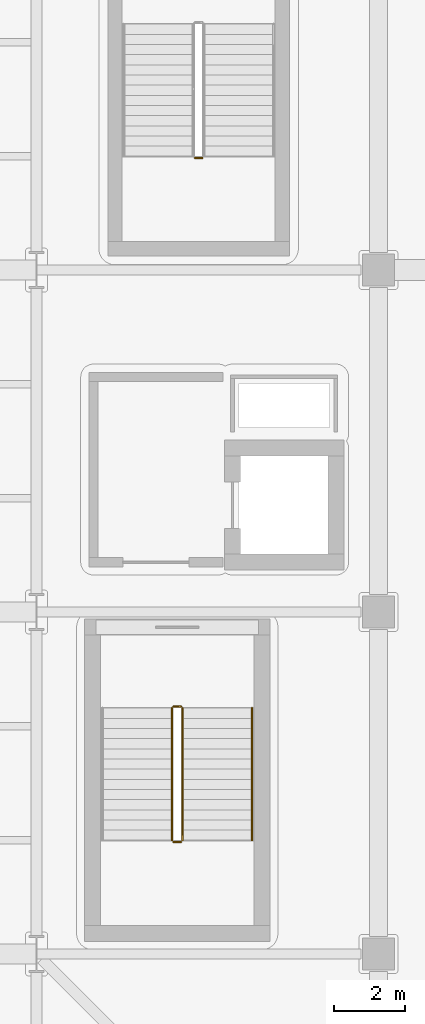
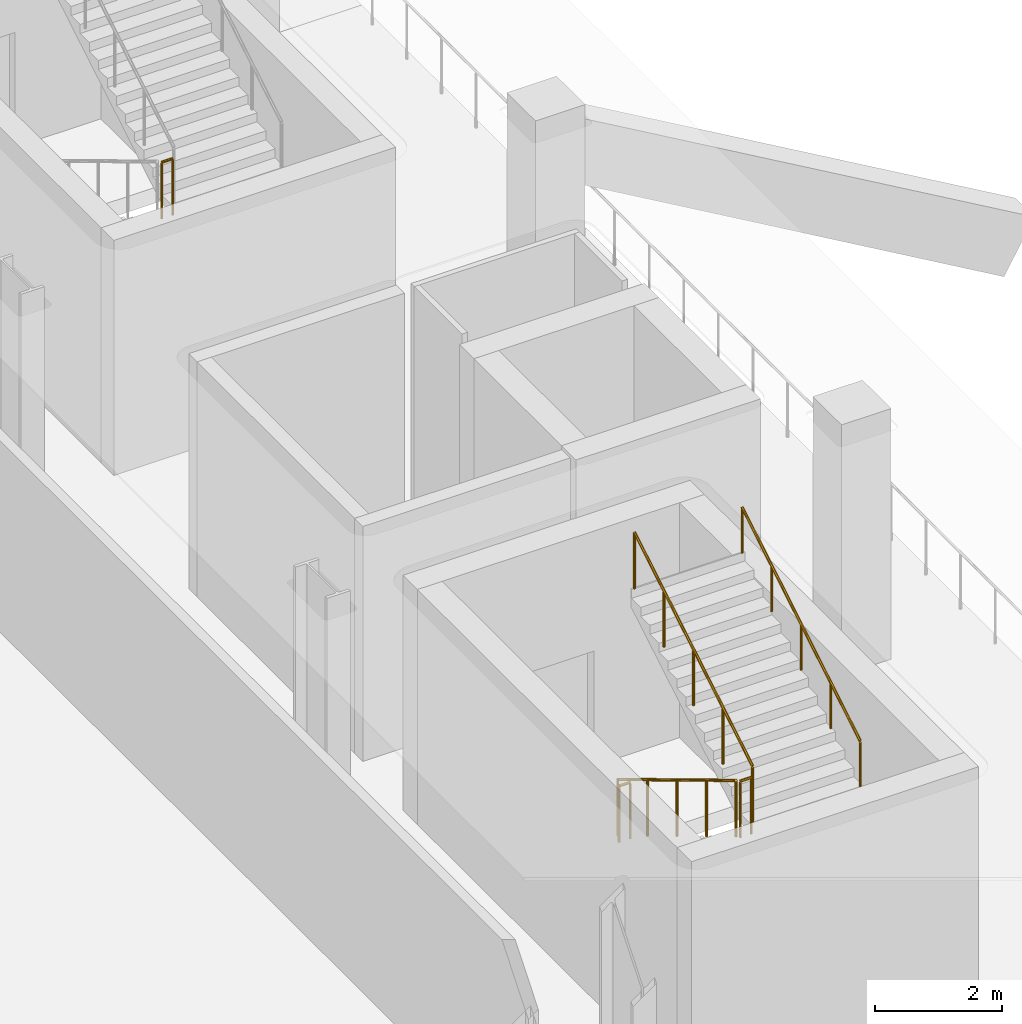
# One storey, part 75 of 100: 6 railings.
"""IFC4 building model written with IfcOpenShell, lengths in metres."""

from ifc_helpers import new_model, si_unit, direction, frame, origin, origin_2d, place, context, subcontext, project, spatial, circle, extrude, material, type_object, element, save


model = new_model("IFC4")

# Units and contexts
model_context = context("Model", 3, precision=1e-05, world=origin(), true_north=direction((0.0, 1.0)))
body_context = subcontext(model_context, "Body", "Model", "MODEL_VIEW")
ifc_project = project(units=[si_unit("LENGTHUNIT", "METRE"), si_unit("AREAUNIT", "SQUARE_METRE"), si_unit("VOLUMEUNIT", "CUBIC_METRE"), si_unit("PLANEANGLEUNIT", "RADIAN"), si_unit("MASSUNIT", "GRAM", prefix="KILO")], contexts=[model_context])

# Site, building, storey
site_placement = place(None, origin())
site = spatial("IfcSite", under=ifc_project, at=site_placement, CompositionType="ELEMENT")
building_placement = place(site_placement, origin())
building = spatial("IfcBuilding", under=site, at=building_placement, Name="Caelomonte Colonnade Arena", CompositionType="ELEMENT")
storey_placement = place(building_placement, origin())
storey = spatial("IfcBuildingStorey", under=building, at=storey_placement, Name="L00", CompositionType="ELEMENT", Elevation=0.0)

# Railings
ifc_material_1 = material(Name="Painted galvanized steel stair guard", Category="steel")
railing_type_1 = type_object("IfcRailingType", Name="INT-RL-GRD", PredefinedType="GUARDRAIL", material=ifc_material_1)
railing_1_placement = place(storey_placement, frame((61.39990234375, 45.300048828125, 0.17138671875)))
element("IfcRailing", 1, at=railing_1_placement, inside=storey, type_object=railing_type_1, Name="L00 ST-01 stair guard 1", PredefinedType="GUARDRAIL", context=body_context, shape_type="SweptSolid", body=[
    extrude(circle(Radius=0.02392578125, at=origin_2d()), frame((0.0, 0.0, 1.076171875), z_axis=(0.0, -0.856934400257, 0.515425487977), x_axis=(1.0, 0.0, 0.0)), (0.0, 0.0, 1.0), 4.32373046875),
    extrude(circle(Radius=0.02099609375, at=origin_2d()), origin(), (0.0, 0.0, 1.0), 1.048095703125),
    extrude(circle(Radius=0.02099609375, at=origin_2d()), frame((0.0, -0.92626953125, 0.55712890625)), (0.0, 0.0, 1.0), 1.048095703125),
    extrude(circle(Radius=0.02099609375, at=origin_2d()), frame((0.0, -1.8525390625, 1.1142578125)), (0.0, 0.0, 1.0), 1.048095703125),
    extrude(circle(Radius=0.02099609375, at=origin_2d()), frame((0.0, -2.77880859375, 1.67138671875)), (0.0, 0.0, 1.0), 1.048095703125),
    extrude(circle(Radius=0.02099609375, at=origin_2d()), frame((0.0, -3.705078125, 2.228515625)), (0.0, 0.0, 1.0), 1.048095703125),
])
railing_2_placement = place(storey_placement, frame((61.449951171875, 41.544921875, 2.39990234375)))
element("IfcRailing", 2, at=railing_2_placement, inside=storey, type_object=railing_type_1, Name="L00 ST-01 stair guard 2", PredefinedType="GUARDRAIL", context=body_context, shape_type="SweptSolid", body=[
    extrude(circle(Radius=0.02392578125, at=origin_2d()), frame((0.0, 0.0, 1.076171875), z_axis=(1.0, 0.0, 0.0), x_axis=(0.0, 1.0, 0.0)), (0.0, 0.0, 1.0), 0.199951171875),
    extrude(circle(Radius=0.02099609375, at=origin_2d()), origin(), (0.0, 0.0, 1.0), 1.048095703125),
    extrude(circle(Radius=0.02099609375, at=origin_2d()), frame((0.199951171875, 0.0, 0.0)), (0.0, 0.0, 1.0), 1.048095703125),
])
railing_3_placement = place(storey_placement, frame((61.699951171875, 41.594970703125, 2.571533203125)))
element("IfcRailing", 3, at=railing_3_placement, inside=storey, type_object=railing_type_1, Name="L00 ST-01 stair guard 3", PredefinedType="GUARDRAIL", context=body_context, shape_type="SweptSolid", body=[
    extrude(circle(Radius=0.02392578125, at=origin_2d()), frame((0.0, 0.0, 1.076171875), z_axis=(0.0, 0.856934400257, 0.515425487977), x_axis=(-1.0, 0.0, 0.0)), (0.0, 0.0, 1.0), 4.32373046875),
    extrude(circle(Radius=0.02099609375, at=origin_2d()), origin(), (0.0, 0.0, 1.0), 1.048095703125),
    extrude(circle(Radius=0.02099609375, at=origin_2d()), frame((0.0, 0.92626953125, 0.55712890625)), (0.0, 0.0, 1.0), 1.048095703125),
    extrude(circle(Radius=0.02099609375, at=origin_2d()), frame((0.0, 1.8525390625, 1.1142578125)), (0.0, 0.0, 1.0), 1.048095703125),
    extrude(circle(Radius=0.02099609375, at=origin_2d()), frame((0.0, 2.77880859375, 1.67138671875)), (0.0, 0.0, 1.0), 1.048095703125),
    extrude(circle(Radius=0.02099609375, at=origin_2d()), frame((0.0, 3.705078125, 2.228515625)), (0.0, 0.0, 1.0), 1.048095703125),
])
for number, where, name in (
    (4, (61.449951171875, 45.35009765625, 0.0), "L00 ST-01 stair guard 4"),
    (5, (62.050048828125, 60.7451171875, 2.39990234375), "L00 ST-09 stair guard 2"),
):
    element("IfcRailing", number, at=place(storey_placement, frame(where)), inside=storey, type_object=railing_type_1, Name=name, PredefinedType="GUARDRAIL", context=body_context, shape_type="SweptSolid", body=[
        extrude(circle(Radius=0.02392578125, at=origin_2d()), frame((0.0, 0.0, 1.076171875), z_axis=(1.0, 0.0, 0.0), x_axis=(0.0, 1.0, 0.0)), (0.0, 0.0, 1.0), 0.199951171875),
        extrude(circle(Radius=0.02099609375, at=origin_2d()), origin(), (0.0, 0.0, 1.0), 1.048095703125),
        extrude(circle(Radius=0.02099609375, at=origin_2d()), frame((0.199951171875, 0.0, 0.0)), (0.0, 0.0, 1.0), 1.048095703125),
    ])
ifc_material_2 = material(Name="Brushed stainless steel stair handrail", Category="steel")
railing_type_2 = type_object("IfcRailingType", Name="INT-RL-HR", PredefinedType="HANDRAIL", material=ifc_material_2)
railing_4_placement = place(storey_placement, frame((63.64990234375, 41.594970703125, 2.571533203125)))
element("IfcRailing", 6, at=railing_4_placement, inside=storey, type_object=railing_type_2, Name="L00 ST-01 stair handrail 2", PredefinedType="HANDRAIL", context=body_context, shape_type="SweptSolid", body=[
    extrude(circle(Radius=0.02392578125, at=origin_2d()), frame((0.0, 0.0, 0.8759765625), z_axis=(0.0, 0.856934400257, 0.515425487977), x_axis=(-1.0, 0.0, 0.0)), (0.0, 0.0, 1.0), 4.32373046875),
    extrude(circle(Radius=0.02099609375, at=origin_2d()), origin(), (0.0, 0.0, 1.0), 0.847900390625),
    extrude(circle(Radius=0.02099609375, at=origin_2d()), frame((0.0, 0.92626953125, 0.55712890625)), (0.0, 0.0, 1.0), 0.847900390625),
    extrude(circle(Radius=0.02099609375, at=origin_2d()), frame((0.0, 1.8525390625, 1.1142578125)), (0.0, 0.0, 1.0), 0.847900390625),
    extrude(circle(Radius=0.02099609375, at=origin_2d()), frame((0.0, 2.77880859375, 1.67138671875)), (0.0, 0.0, 1.0), 0.847900390625),
    extrude(circle(Radius=0.02099609375, at=origin_2d()), frame((0.0, 3.705078125, 2.228515625)), (0.0, 0.0, 1.0), 0.847900390625),
])

save(model, "model.ifc")
